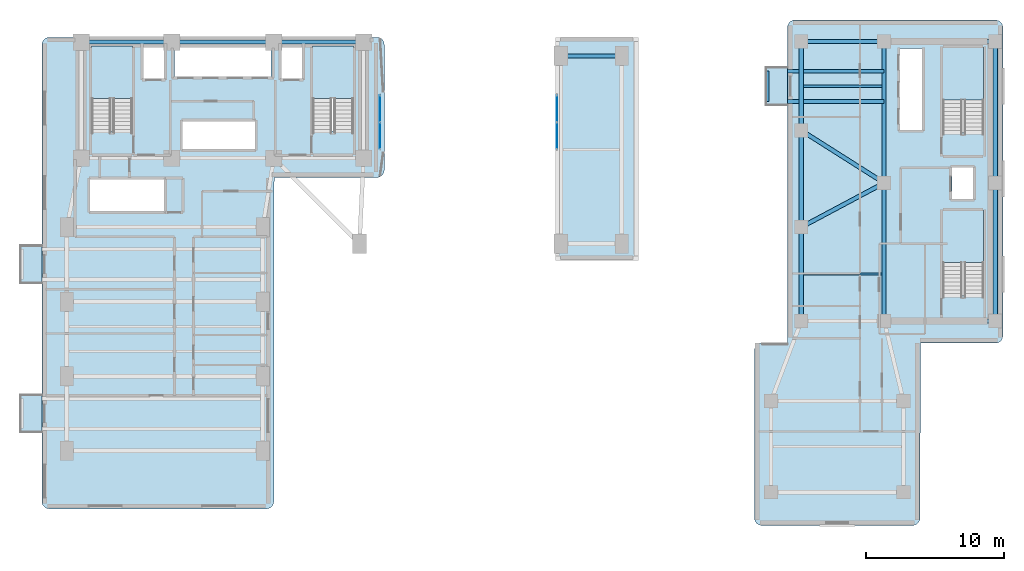
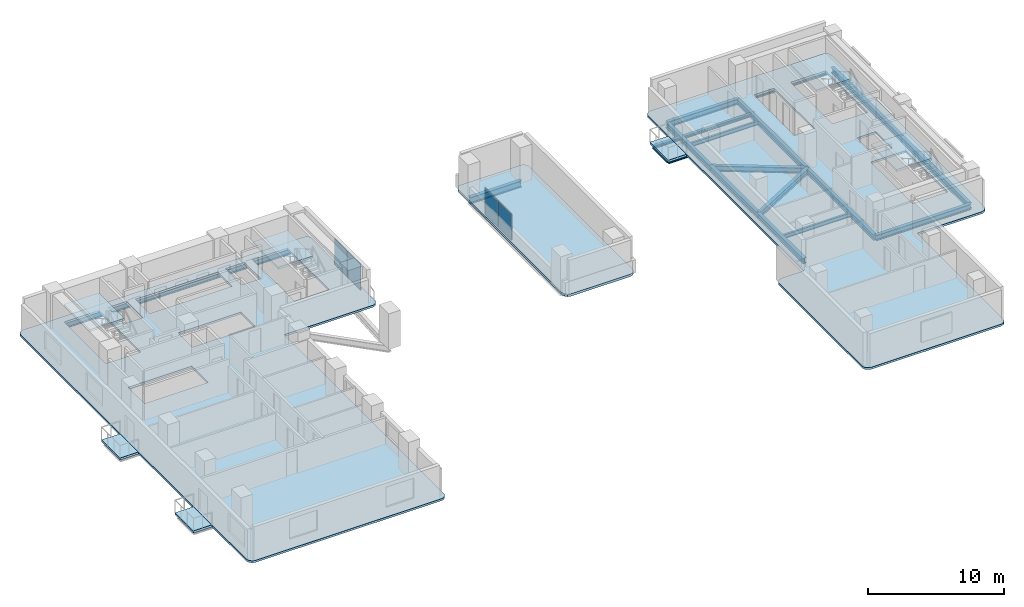
# One storey, part 5 of 12: 21 beams, 10 slabs, 4 plates, 6 elements without a shape of their own.
"""IFC4 building model written with IfcOpenShell, lengths in metres."""

from ifc_helpers import new_model, si_unit, direction, frame, origin, origin_2d, place, context, subcontext, project, spatial, polyline, rectangle, i_section, outline, extrude, material, layer, layer_set, material_profile, profile_set, type_object, element, aggregate, save


model = new_model("IFC4")

# Units and contexts
model_context = context("Model", 3, precision=1e-05, world=origin(), true_north=direction((0.0, 1.0)))
body_context = subcontext(model_context, "Body", "Model", "MODEL_VIEW")
ifc_project = project(units=[si_unit("LENGTHUNIT", "METRE"), si_unit("AREAUNIT", "SQUARE_METRE"), si_unit("VOLUMEUNIT", "CUBIC_METRE"), si_unit("PLANEANGLEUNIT", "RADIAN"), si_unit("MASSUNIT", "GRAM", prefix="KILO")], contexts=[model_context])

# Site, building, storey
site_placement = place(None, origin())
site = spatial("IfcSite", under=ifc_project, at=site_placement, CompositionType="ELEMENT")
building_placement = place(site_placement, origin())
building = spatial("IfcBuilding", under=site, at=building_placement, Name="Kuzgunbayir Cultural Tower", CompositionType="ELEMENT")
storey_placement = place(building_placement, frame((0.0, 0.0, 30.199951171875)))
storey = spatial("IfcBuildingStorey", under=building, at=storey_placement, Name="L07", CompositionType="ELEMENT", Elevation=30.199951171875)

# Beams
ifc_material_1 = material(Name="Steel S355J2", Category="steel")
ifc_material_profile_1 = material_profile(ifc_material_1, i_section(OverallWidth=0.260009765625, OverallDepth=0.260009765625, WebThickness=0.010009765625, FlangeThickness=0.017578125, FilletRadius=0.02392578125, at=origin_2d()), Name="HEB 260")
ifc_profile_set_1 = profile_set([ifc_material_profile_1], Name="Steel S355J2")
beam_type_1 = type_object("IfcBeamType", Name="BM-BAL-HEB260", PredefinedType="BEAM", material=ifc_profile_set_1)
for number, where, z_axis, x_axis, name in (
    (1, (56.159912109375, 37.89990234375, -0.329833984375), (1.0, 0.0, 0.0), (0.0, 1.0, 0.0), "L07 Companion Balcony Outrigger BAL-L07-T2W3.1"),
    (2, (56.159912109375, 40.10009765625, -0.329833984375), (1.0, 0.0, 0.0), (0.0, 1.0, 0.0), "L07 Companion Balcony Outrigger BAL-L07-T2W3.2"),
):
    element("IfcBeam", number, at=place(storey_placement, frame(where, z_axis=z_axis, x_axis=x_axis)), inside=storey, type_object=beam_type_1, Name=name, PredefinedType="BEAM", context=body_context, shape_type="SweptSolid", body=[
        extrude(i_section(OverallWidth=0.260009765625, OverallDepth=0.260009765625, WebThickness=0.010009765625, FlangeThickness=0.017578125, FilletRadius=0.02392578125, at=origin_2d()), origin(), (0.0, 0.0, 1.0), 8.440185546875),
    ])
ifc_material_profile_2 = material_profile(ifc_material_1, i_section(OverallWidth=0.199951171875, OverallDepth=0.199951171875, WebThickness=0.009033203125, FlangeThickness=0.014892578125, FilletRadius=0.01806640625, at=origin_2d()), Name="HEB 200")
ifc_profile_set_2 = profile_set([ifc_material_profile_2], Name="Steel S355J2")
beam_type_2 = type_object("IfcBeamType", Name="BM-CAN-HEB200", PredefinedType="BEAM", material=ifc_profile_set_2)
beam_1_placement = place(storey_placement, frame((56.159912109375, 37.89990234375, -0.300048828125), z_axis=(0.0, 1.0, 0.0), x_axis=(-1.0, 0.0, 0.0)))
element("IfcBeam", 3, at=beam_1_placement, inside=storey, type_object=beam_type_2, Name="L07 Companion Balcony Header BAL-L07-T2W3", PredefinedType="BEAM", context=body_context, shape_type="SweptSolid", body=[
    extrude(i_section(OverallWidth=0.199951171875, OverallDepth=0.199951171875, WebThickness=0.009033203125, FlangeThickness=0.014892578125, FilletRadius=0.01806640625, at=origin_2d()), origin(), (0.0, 0.0, 1.0), 2.2001953125),
])
ifc_material_profile_3 = material_profile(ifc_material_1, i_section(OverallWidth=0.300048828125, OverallDepth=0.5, WebThickness=0.014404296875, FlangeThickness=0.028076171875, FilletRadius=0.027099609375, at=origin_2d()), Name="HEB 500")
ifc_profile_set_3 = profile_set([ifc_material_profile_3], Name="Steel S355J2")
beam_type_3 = type_object("IfcBeamType", Name="BM-EXT-HEB500", PredefinedType="BEAM", material=ifc_profile_set_3)
beam_2_placement = place(storey_placement, frame((58.60009765625, 22.0, -0.429931640625), z_axis=(0.0, 1.0, 0.0), x_axis=(-1.0, 0.0, 0.0)))
element("IfcBeam", 4, at=beam_2_placement, inside=storey, type_object=beam_type_3, Name="L07 Companion West Girder", PredefinedType="BEAM", context=body_context, shape_type="SweptSolid", body=[
    extrude(i_section(OverallWidth=0.300048828125, OverallDepth=0.5, WebThickness=0.014404296875, FlangeThickness=0.028076171875, FilletRadius=0.027099609375, at=origin_2d()), origin(), (0.0, 0.0, 1.0), 6.800048828125),
])
beam_3_placement = place(storey_placement, frame((58.60009765625, 28.800048828125, -0.429931640625), z_axis=(0.0, 1.0, 0.0), x_axis=(-1.0, 0.0, 0.0)))
element("IfcBeam", 5, at=beam_3_placement, inside=storey, type_object=beam_type_3, Name="L07 Companion West Girder", PredefinedType="BEAM", context=body_context, shape_type="SweptSolid", body=[
    extrude(i_section(OverallWidth=0.300048828125, OverallDepth=0.5, WebThickness=0.014404296875, FlangeThickness=0.028076171875, FilletRadius=0.027099609375, at=origin_2d()), origin(), (0.0, 0.0, 1.0), 7.0),
])
beam_4_placement = place(storey_placement, frame((58.60009765625, 35.800048828125, -0.429931640625), z_axis=(0.0, 1.0, 0.0), x_axis=(-1.0, 0.0, 0.0)))
element("IfcBeam", 6, at=beam_4_placement, inside=storey, type_object=beam_type_3, Name="L07 Companion West Girder", PredefinedType="BEAM", context=body_context, shape_type="SweptSolid", body=[
    extrude(i_section(OverallWidth=0.300048828125, OverallDepth=0.5, WebThickness=0.014404296875, FlangeThickness=0.028076171875, FilletRadius=0.027099609375, at=origin_2d()), origin(), (0.0, 0.0, 1.0), 6.449951171875),
])
ifc_material_profile_4 = material_profile(ifc_material_1, i_section(OverallWidth=0.300048828125, OverallDepth=0.60009765625, WebThickness=0.015380859375, FlangeThickness=0.030029296875, FilletRadius=0.027099609375, at=origin_2d()), Name="HEB 600")
ifc_profile_set_4 = profile_set([ifc_material_profile_4], Name="Steel S355J2")
beam_type_4 = type_object("IfcBeamType", Name="BM-EXT-HEB600", PredefinedType="BEAM", material=ifc_profile_set_4)
beam_5_placement = place(storey_placement, frame((41.199951171875, 41.199951171875, -0.530029296875), z_axis=(1.0, 0.0, 0.0), x_axis=(0.0, 1.0, 0.0)))
element("IfcBeam", 7, at=beam_5_placement, inside=storey, type_object=beam_type_4, Name="L07 Portal Pier North Girder", PredefinedType="BEAM", context=body_context, shape_type="SweptSolid", body=[
    extrude(i_section(OverallWidth=0.300048828125, OverallDepth=0.60009765625, WebThickness=0.015380859375, FlangeThickness=0.030029296875, FilletRadius=0.027099609375, at=origin_2d()), origin(), (0.0, 0.0, 1.0), 4.400146484375),
])
ifc_material_profile_5 = material_profile(ifc_material_1, i_section(OverallWidth=0.300048828125, OverallDepth=0.5, WebThickness=0.014404296875, FlangeThickness=0.028076171875, FilletRadius=0.027099609375, at=origin_2d()), Name="HEB 500")
ifc_profile_set_5 = profile_set([ifc_material_profile_5], Name="Steel S355J2")
beam_type_5 = type_object("IfcBeamType", Name="BM-GIR-HEB500", PredefinedType="BEAM", material=ifc_profile_set_5)
beam_6_placement = place(storey_placement, frame((58.60009765625, 28.800048828125, -0.429931640625), z_axis=(0.882355922736, 0.470582644828, 0.0), x_axis=(-0.470582644828, 0.882355922736, 0.0)))
element("IfcBeam", 8, at=beam_6_placement, inside=storey, type_object=beam_type_5, Name="L07 Companion Transverse Girder 2", PredefinedType="BEAM", context=body_context, shape_type="SweptSolid", body=[
    extrude(i_section(OverallWidth=0.300048828125, OverallDepth=0.5, WebThickness=0.014404296875, FlangeThickness=0.028076171875, FilletRadius=0.027099609375, at=origin_2d()), origin(), (0.0, 0.0, 1.0), 6.800048828125),
])
beam_7_placement = place(storey_placement, frame((58.60009765625, 35.800048828125, -0.429931640625), z_axis=(0.844815967829, -0.535056988088, 0.0), x_axis=(0.535056988088, 0.844815967829, 0.0)))
element("IfcBeam", 9, at=beam_7_placement, inside=storey, type_object=beam_type_5, Name="L07 Companion Transverse Girder 3", PredefinedType="BEAM", context=body_context, shape_type="SweptSolid", body=[
    extrude(i_section(OverallWidth=0.300048828125, OverallDepth=0.5, WebThickness=0.014404296875, FlangeThickness=0.028076171875, FilletRadius=0.027099609375, at=origin_2d()), origin(), (0.0, 0.0, 1.0), 7.10205078125),
])
beam_8_placement = place(storey_placement, frame((58.60009765625, 42.25, -0.429931640625), z_axis=(1.0, 0.0, 0.0), x_axis=(0.0, 1.0, 0.0)))
element("IfcBeam", 10, at=beam_8_placement, inside=storey, type_object=beam_type_5, Name="L07 Companion Transverse Girder 4", PredefinedType="BEAM", context=body_context, shape_type="SweptSolid", body=[
    extrude(i_section(OverallWidth=0.300048828125, OverallDepth=0.5, WebThickness=0.014404296875, FlangeThickness=0.028076171875, FilletRadius=0.027099609375, at=origin_2d()), origin(), (0.0, 0.0, 1.0), 6.0),
])
beam_9_placement = place(storey_placement, frame((64.60009765625, 22.0, -0.429931640625), z_axis=(0.0, 1.0, 0.0), x_axis=(-1.0, 0.0, 0.0)))
element("IfcBeam", 11, at=beam_9_placement, inside=storey, type_object=beam_type_5, Name="L07 Companion Core West Girder 1", PredefinedType="BEAM", context=body_context, shape_type="SweptSolid", body=[
    extrude(i_section(OverallWidth=0.300048828125, OverallDepth=0.5, WebThickness=0.014404296875, FlangeThickness=0.028076171875, FilletRadius=0.027099609375, at=origin_2d()), origin(), (0.0, 0.0, 1.0), 10.0),
])
beam_10_placement = place(storey_placement, frame((64.60009765625, 32.0, -0.429931640625), z_axis=(0.0, 1.0, 0.0), x_axis=(-1.0, 0.0, 0.0)))
element("IfcBeam", 12, at=beam_10_placement, inside=storey, type_object=beam_type_5, Name="L07 Companion Core West Girder 2", PredefinedType="BEAM", context=body_context, shape_type="SweptSolid", body=[
    extrude(i_section(OverallWidth=0.300048828125, OverallDepth=0.5, WebThickness=0.014404296875, FlangeThickness=0.028076171875, FilletRadius=0.027099609375, at=origin_2d()), origin(), (0.0, 0.0, 1.0), 10.25),
])
beam_11_placement = place(storey_placement, frame((72.64990234375, 22.0, -0.429931640625), z_axis=(0.0, 1.0, 0.0), x_axis=(-1.0, 0.0, 0.0)))
element("IfcBeam", 13, at=beam_11_placement, inside=storey, type_object=beam_type_5, Name="L07 Companion Core East Girder 1", PredefinedType="BEAM", context=body_context, shape_type="SweptSolid", body=[
    extrude(i_section(OverallWidth=0.300048828125, OverallDepth=0.5, WebThickness=0.014404296875, FlangeThickness=0.028076171875, FilletRadius=0.027099609375, at=origin_2d()), origin(), (0.0, 0.0, 1.0), 10.0),
])
beam_12_placement = place(storey_placement, frame((72.64990234375, 32.0, -0.429931640625), z_axis=(0.0, 1.0, 0.0), x_axis=(-1.0, 0.0, 0.0)))
element("IfcBeam", 14, at=beam_12_placement, inside=storey, type_object=beam_type_5, Name="L07 Companion Core East Girder 2", PredefinedType="BEAM", context=body_context, shape_type="SweptSolid", body=[
    extrude(i_section(OverallWidth=0.300048828125, OverallDepth=0.5, WebThickness=0.014404296875, FlangeThickness=0.028076171875, FilletRadius=0.027099609375, at=origin_2d()), origin(), (0.0, 0.0, 1.0), 10.25),
])
for number, where, z_axis, x_axis, name in (
    (15, (64.60009765625, 22.0, -0.429931640625), (1.0, 0.0, 0.0), (0.0, 1.0, 0.0), "L07 Companion Core South Girder"),
    (16, (64.60009765625, 42.25, -0.429931640625), (1.0, 0.0, 0.0), (0.0, 1.0, 0.0), "L07 Companion Core North Girder"),
):
    element("IfcBeam", number, at=place(storey_placement, frame(where, z_axis=z_axis, x_axis=x_axis)), inside=storey, type_object=beam_type_5, Name=name, PredefinedType="BEAM", context=body_context, shape_type="SweptSolid", body=[
        extrude(i_section(OverallWidth=0.300048828125, OverallDepth=0.5, WebThickness=0.014404296875, FlangeThickness=0.028076171875, FilletRadius=0.027099609375, at=origin_2d()), origin(), (0.0, 0.0, 1.0), 8.0498046875),
    ])
ifc_material_profile_6 = material_profile(ifc_material_1, i_section(OverallWidth=0.300048828125, OverallDepth=0.60009765625, WebThickness=0.015380859375, FlangeThickness=0.030029296875, FilletRadius=0.027099609375, at=origin_2d()), Name="HEB 600")
ifc_profile_set_6 = profile_set([ifc_material_profile_6], Name="Steel S355J2")
beam_type_6 = type_object("IfcBeamType", Name="BM-GIR-HEB600", PredefinedType="BEAM", material=ifc_profile_set_6)
beam_13_placement = place(storey_placement, frame((6.449951171875, 42.199951171875, -0.47998046875), z_axis=(1.0, 0.0, 0.0), x_axis=(0.0, 1.0, 0.0)))
element("IfcBeam", 17, at=beam_13_placement, inside=storey, type_object=beam_type_6, Name="L07 Core North Girder 1", PredefinedType="BEAM", context=body_context, shape_type="SweptSolid", body=[
    extrude(i_section(OverallWidth=0.300048828125, OverallDepth=0.60009765625, WebThickness=0.015380859375, FlangeThickness=0.030029296875, FilletRadius=0.027099609375, at=origin_2d()), origin(), (0.0, 0.0, 1.0), 6.550048828125),
])
beam_14_placement = place(storey_placement, frame((13.0, 42.199951171875, -0.47998046875), z_axis=(1.0, 0.0, 0.0), x_axis=(0.0, 1.0, 0.0)))
element("IfcBeam", 18, at=beam_14_placement, inside=storey, type_object=beam_type_6, Name="L07 Core North Girder 2", PredefinedType="BEAM", context=body_context, shape_type="SweptSolid", body=[
    extrude(i_section(OverallWidth=0.300048828125, OverallDepth=0.60009765625, WebThickness=0.015380859375, FlangeThickness=0.030029296875, FilletRadius=0.027099609375, at=origin_2d()), origin(), (0.0, 0.0, 1.0), 7.39990234375),
])
beam_15_placement = place(storey_placement, frame((20.39990234375, 42.199951171875, -0.47998046875), z_axis=(1.0, 0.0, 0.0), x_axis=(0.0, 1.0, 0.0)))
element("IfcBeam", 19, at=beam_15_placement, inside=storey, type_object=beam_type_6, Name="L07 Core North Girder 3", PredefinedType="BEAM", context=body_context, shape_type="SweptSolid", body=[
    extrude(i_section(OverallWidth=0.300048828125, OverallDepth=0.60009765625, WebThickness=0.015380859375, FlangeThickness=0.030029296875, FilletRadius=0.027099609375, at=origin_2d()), origin(), (0.0, 0.0, 1.0), 6.5),
])
ifc_material_profile_7 = material_profile(ifc_material_1, i_section(OverallWidth=0.169921875, OverallDepth=0.360107421875, WebThickness=0.008056640625, FlangeThickness=0.0126953125, FilletRadius=0.01806640625, at=origin_2d()), Name="IPE 360")
ifc_profile_set_7 = profile_set([ifc_material_profile_7], Name="Steel S355J2")
beam_type_7 = type_object("IfcBeamType", Name="BM-JST-IPE360", PredefinedType="JOIST", material=ifc_profile_set_7)
for number, where, z_axis, x_axis, name in (
    (20, (58.75, 25.39990234375, -0.35986328125), (1.0, 0.0, 0.0), (0.0, 1.0, 0.0), "L07 Companion Joist"),
    (21, (58.75, 39.0, -0.35986328125), (1.0, 0.0, 0.0), (0.0, 1.0, 0.0), "L07 Companion Joist"),
):
    element("IfcBeam", number, at=place(storey_placement, frame(where, z_axis=z_axis, x_axis=x_axis)), inside=storey, type_object=beam_type_7, Name=name, PredefinedType="JOIST", context=body_context, shape_type="SweptSolid", body=[
        extrude(i_section(OverallWidth=0.169921875, OverallDepth=0.360107421875, WebThickness=0.008056640625, FlangeThickness=0.0126953125, FilletRadius=0.01806640625, at=origin_2d()), origin(), (0.0, 0.0, 1.0), 5.699951171875),
    ])

# Curtain wall, plates
ifc_material_2 = material(Name="Anodised Aluminium Framing", Category="aluminium")
curtain_wall_type = type_object("IfcCurtainWallType", Name="CW02-PORTAL-SOFFIT", PredefinedType="NOTDEFINED", material=ifc_material_2)
curtain_wall_1_placement = place(storey_placement, origin())
curtain_wall_1 = element("IfcCurtainWall", 22, at=curtain_wall_1_placement, inside=storey, type_object=curtain_wall_type, Name="L07 Void-Portal West Jamb Curtain Wall", PredefinedType="NOTDEFINED")
ifc_material_3 = material(Name="Solar-Control Triple Glazing", Category="glass")
ifc_layer_1 = layer(ifc_material_3, 0.035888671875)
ifc_layer_set_1 = layer_set([ifc_layer_1], Name="Solar-Control Triple Glazing")
plate_type = type_object("IfcPlateType", Name="PLT-CW-GLASS-36", PredefinedType="CURTAIN_PANEL", material=ifc_layer_set_1)
plate_1_placement = place(storey_placement, frame((28.10009765625, 35.4150390625, 0.06005859375), z_axis=(0.0, 0.0, 1.0), x_axis=(0.0, 1.0, 0.0)))
plate_1 = element("IfcPlate", 23, at=plate_1_placement, type_object=plate_type, Name="CW02 panel 1.1", PredefinedType="CURTAIN_PANEL", context=body_context, shape_type="SweptSolid", body=[
    extrude(rectangle(XDim=1.909912109375, YDim=0.035888671875, at=origin_2d()), origin(), (0.0, 0.0, 1.0), 2.35009765625),
])
plate_2_placement = place(storey_placement, frame((28.10009765625, 37.385009765625, 0.06005859375), z_axis=(0.0, 0.0, 1.0), x_axis=(0.0, 1.0, 0.0)))
plate_2 = element("IfcPlate", 24, at=plate_2_placement, type_object=plate_type, Name="CW02 panel 2.1", PredefinedType="CURTAIN_PANEL", context=body_context, shape_type="SweptSolid", body=[
    extrude(rectangle(XDim=1.909912109375, YDim=0.035888671875, at=origin_2d()), origin(), (0.0, 0.0, 1.0), 2.35009765625),
])
aggregate(curtain_wall_1, [plate_1, plate_2])

curtain_wall_2_placement = place(storey_placement, origin())
curtain_wall_2 = element("IfcCurtainWall", 25, at=curtain_wall_2_placement, inside=storey, type_object=curtain_wall_type, Name="L07 Void-Portal East Jamb Curtain Wall", PredefinedType="NOTDEFINED")
plate_3_placement = place(storey_placement, frame((40.89990234375, 35.4150390625, 0.06005859375), z_axis=(0.0, 0.0, 1.0), x_axis=(0.0, 1.0, 0.0)))
plate_3 = element("IfcPlate", 26, at=plate_3_placement, type_object=plate_type, Name="CW02 panel 1.1", PredefinedType="CURTAIN_PANEL", context=body_context, shape_type="SweptSolid", body=[
    extrude(rectangle(XDim=1.909912109375, YDim=0.035888671875, at=origin_2d()), origin(), (0.0, 0.0, 1.0), 2.35009765625),
])
plate_4_placement = place(storey_placement, frame((40.89990234375, 37.385009765625, 0.06005859375), z_axis=(0.0, 0.0, 1.0), x_axis=(0.0, 1.0, 0.0)))
plate_4 = element("IfcPlate", 27, at=plate_4_placement, type_object=plate_type, Name="CW02 panel 2.1", PredefinedType="CURTAIN_PANEL", context=body_context, shape_type="SweptSolid", body=[
    extrude(rectangle(XDim=1.909912109375, YDim=0.035888671875, at=origin_2d()), origin(), (0.0, 0.0, 1.0), 2.35009765625),
])
aggregate(curtain_wall_2, [plate_3, plate_4])

# Slabs
ifc_material_4 = material(Name="Concrete C40/50", Category="concrete")
ifc_layer_2 = layer(ifc_material_4, 0.199951171875)
ifc_layer_set_2 = layer_set([ifc_layer_2], Name="Concrete C40/50")
slab_type_1 = type_object("IfcSlabType", Name="SLB-BAL-STONE", PredefinedType="FLOOR", material=ifc_layer_set_2)
slab_1_placement = place(storey_placement, frame((0.0, 0.0, -0.199951171875)))
element("IfcSlab", 28, at=slab_1_placement, inside=storey, type_object=slab_type_1, Name="L07 Projecting Limestone Balcony BAL-L07-WA1", PredefinedType="FLOOR", context=body_context, shape_type="SweptSolid", body=[
    extrude(outline(polyline([(2.0400390625, 13.949951171875), (3.60009765625, 13.949951171875), (3.60009765625, 16.64990234375), (2.0400390625, 16.64990234375), (2.0400390625, 13.949951171875)])), origin(), (0.0, 0.0, 1.0), 0.199951171875),
])
slab_2_placement = place(storey_placement, frame((0.0, 0.0, -0.199951171875)))
element("IfcSlab", 29, at=slab_2_placement, inside=storey, type_object=slab_type_1, Name="L07 Projecting Limestone Balcony BAL-L07-WA3", PredefinedType="FLOOR", context=body_context, shape_type="SweptSolid", body=[
    extrude(outline(polyline([(2.0400390625, 24.75), (3.60009765625, 24.75), (3.60009765625, 27.449951171875), (2.0400390625, 27.449951171875), (2.0400390625, 24.75)])), origin(), (0.0, 0.0, 1.0), 0.199951171875),
])
slab_3_placement = place(storey_placement, frame((0.0, 0.0, -0.199951171875)))
element("IfcSlab", 30, at=slab_3_placement, inside=storey, type_object=slab_type_1, Name="L07 Projecting Limestone Balcony BAL-L07-T2W3", PredefinedType="FLOOR", context=body_context, shape_type="SweptSolid", body=[
    extrude(outline(polyline([(56.0400390625, 37.64990234375), (57.60009765625, 37.64990234375), (57.60009765625, 40.35009765625), (56.0400390625, 40.35009765625), (56.0400390625, 37.64990234375)])), origin(), (0.0, 0.0, 1.0), 0.199951171875),
])

# Stair, slab
stair_type = type_object("IfcStairType", Name="STR-EXIT-CORE", PredefinedType="HALF_TURN_STAIR", material=ifc_material_4)
stair_1_placement = place(storey_placement, origin())
stair_1 = element("IfcStair", 31, at=stair_1_placement, inside=storey, type_object=stair_type, Name="L07 ST-1", PredefinedType="HALF_TURN_STAIR")
ifc_layer_3 = layer(ifc_material_4, 0.179931640625)
ifc_layer_set_3 = layer_set([ifc_layer_3], Name="Concrete C40/50")
slab_type_2 = type_object("IfcSlabType", Name="SLB-LANDING-180", PredefinedType="LANDING", material=ifc_layer_set_3)
slab_4_placement = place(storey_placement, frame((0.0, 0.0, 1.400146484375)))
slab_4 = element("IfcSlab", 32, at=slab_4_placement, type_object=slab_type_2, Name="ST-1 landing 1", PredefinedType="LANDING", context=body_context, shape_type="SweptSolid", body=[
    extrude(outline(polyline([(10.159912109375, 38.1201171875), (10.159912109375, 41.89990234375), (7.199951171875, 41.89990234375), (7.199951171875, 38.1201171875), (10.159912109375, 38.1201171875)])), origin(), (0.0, 0.0, 1.0), 0.199951171875),
])
aggregate(stair_1, [slab_4])

stair_2_placement = place(storey_placement, origin())
stair_2 = element("IfcStair", 33, at=stair_2_placement, inside=storey, type_object=stair_type, Name="L07 ST-2", PredefinedType="HALF_TURN_STAIR")
slab_5_placement = place(storey_placement, frame((0.0, 0.0, 1.400146484375)))
slab_5 = element("IfcSlab", 34, at=slab_5_placement, type_object=slab_type_2, Name="ST-2 landing 1", PredefinedType="LANDING", context=body_context, shape_type="SweptSolid", body=[
    extrude(outline(polyline([(26.159912109375, 38.1201171875), (26.159912109375, 41.89990234375), (23.199951171875, 41.89990234375), (23.199951171875, 38.1201171875), (26.159912109375, 38.1201171875)])), origin(), (0.0, 0.0, 1.0), 0.199951171875),
])
aggregate(stair_2, [slab_5])

stair_3_placement = place(storey_placement, origin())
stair_3 = element("IfcStair", 35, at=stair_3_placement, inside=storey, type_object=stair_type, Name="L07 ST-3", PredefinedType="HALF_TURN_STAIR")
slab_6_placement = place(storey_placement, frame((0.0, 0.0, 1.400146484375)))
slab_6 = element("IfcSlab", 36, at=slab_6_placement, type_object=slab_type_2, Name="ST-3 landing 1", PredefinedType="LANDING", context=body_context, shape_type="SweptSolid", body=[
    extrude(outline(polyline([(71.800048828125, 26.219970703125), (71.800048828125, 30.0), (68.840087890625, 30.0), (68.840087890625, 26.219970703125), (71.800048828125, 26.219970703125)])), origin(), (0.0, 0.0, 1.0), 0.199951171875),
])
aggregate(stair_3, [slab_6])

stair_4_placement = place(storey_placement, origin())
stair_4 = element("IfcStair", 37, at=stair_4_placement, inside=storey, type_object=stair_type, Name="L07 ST-4", PredefinedType="HALF_TURN_STAIR")
slab_7_placement = place(storey_placement, frame((0.0, 0.0, 1.400146484375)))
slab_7 = element("IfcSlab", 38, at=slab_7_placement, type_object=slab_type_2, Name="ST-4 landing 1", PredefinedType="LANDING", context=body_context, shape_type="SweptSolid", body=[
    extrude(outline(polyline([(71.800048828125, 38.02001953125), (71.800048828125, 41.800048828125), (68.840087890625, 41.800048828125), (68.840087890625, 38.02001953125), (71.800048828125, 38.02001953125)])), origin(), (0.0, 0.0, 1.0), 0.199951171875),
])
aggregate(stair_4, [slab_7])

# Slabs
ifc_layer_4 = layer(ifc_material_4, 0.219970703125)
ifc_layer_set_4 = layer_set([ifc_layer_4], Name="Concrete C40/50")
slab_type_3 = type_object("IfcSlabType", Name="SLB-ROOF-COMP-220", PredefinedType="ROOF", material=ifc_layer_set_4)
slab_8_placement = place(storey_placement, frame((0.0, 0.0, -0.219970703125)))
element("IfcSlab", 39, at=slab_8_placement, inside=storey, type_object=slab_type_3, Name="L07 Tower 1 Portal Structural Cap T1-PIER", PredefinedType="ROOF", context=body_context, shape_type="SweptSolid", body=[
    extrude(outline(polyline([(46.300048828125, 26.39990234375), (46.39990234375, 26.409912109375), (46.489990234375, 26.43994140625), (46.580078125, 26.47998046875), (46.64990234375, 26.550048828125), (46.719970703125, 26.6201171875), (46.760009765625, 26.7099609375), (46.7900390625, 26.800048828125), (46.800048828125, 26.89990234375), (46.800048828125, 42.050048828125), (46.7900390625, 42.14990234375), (46.760009765625, 42.239990234375), (46.719970703125, 42.330078125), (46.64990234375, 42.39990234375), (46.580078125, 42.469970703125), (46.489990234375, 42.510009765625), (46.39990234375, 42.5400390625), (46.300048828125, 42.550048828125), (41.300048828125, 42.550048828125), (41.199951171875, 42.5400390625), (41.110107421875, 42.510009765625), (41.02001953125, 42.469970703125), (40.949951171875, 42.39990234375), (40.8798828125, 42.330078125), (40.840087890625, 42.239990234375), (40.81005859375, 42.14990234375), (40.800048828125, 42.050048828125), (40.800048828125, 26.89990234375), (40.81005859375, 26.800048828125), (40.840087890625, 26.7099609375), (40.8798828125, 26.6201171875), (40.949951171875, 26.550048828125), (41.02001953125, 26.47998046875), (41.110107421875, 26.43994140625), (41.199951171875, 26.409912109375), (41.300048828125, 26.39990234375), (46.300048828125, 26.39990234375)])), origin(), (0.0, 0.0, 1.0), 0.219970703125),
])
ifc_layer_5 = layer(ifc_material_4, 0.179931640625)
ifc_layer_set_5 = layer_set([ifc_layer_5], Name="Concrete C40/50")
slab_type_4 = type_object("IfcSlabType", Name="SLB-TYP-180", PredefinedType="FLOOR", material=ifc_layer_set_5)
slab_9_placement = place(storey_placement, frame((0.0, 0.0, -0.179931640625)))
element("IfcSlab", 40, at=slab_9_placement, inside=storey, type_object=slab_type_4, Name="L07 Tower 1 Floor Slab T1-WEST", PredefinedType="FLOOR", context=body_context, shape_type="SweptSolid", body=[
    extrude(outline(polyline([(20.39990234375, 8.949951171875), (20.389892578125, 8.840087890625), (20.360107421875, 8.739990234375), (20.31005859375, 8.639892578125), (20.239990234375, 8.56005859375), (20.159912109375, 8.489990234375), (20.06005859375, 8.43994140625), (19.9599609375, 8.409912109375), (19.85009765625, 8.39990234375), (4.14990234375, 8.39990234375), (4.0400390625, 8.409912109375), (3.93994140625, 8.43994140625), (3.840087890625, 8.489990234375), (3.760009765625, 8.56005859375), (3.68994140625, 8.639892578125), (3.639892578125, 8.739990234375), (3.610107421875, 8.840087890625), (3.60009765625, 8.949951171875), (3.60009765625, 42.0), (3.610107421875, 42.110107421875), (3.639892578125, 42.2099609375), (3.68994140625, 42.31005859375), (3.760009765625, 42.389892578125), (3.840087890625, 42.4599609375), (3.93994140625, 42.510009765625), (4.0400390625, 42.5400390625), (4.14990234375, 42.550048828125), (27.85009765625, 42.550048828125), (27.9599609375, 42.5400390625), (28.06005859375, 42.510009765625), (28.159912109375, 42.4599609375), (28.239990234375, 42.389892578125), (28.31005859375, 42.31005859375), (28.360107421875, 42.2099609375), (28.389892578125, 42.110107421875), (28.39990234375, 42.0), (28.39990234375, 32.949951171875), (28.389892578125, 32.840087890625), (28.360107421875, 32.739990234375), (28.31005859375, 32.639892578125), (28.239990234375, 32.56005859375), (28.159912109375, 32.489990234375), (28.06005859375, 32.43994140625), (27.9599609375, 32.409912109375), (27.85009765625, 32.39990234375), (20.429931640625, 32.39990234375), (20.39990234375, 8.949951171875)]), holes=[polyline([(7.199951171875, 35.760009765625), (7.199951171875, 41.89990234375), (10.159912109375, 41.89990234375), (10.159912109375, 35.760009765625), (7.199951171875, 35.760009765625)]), polyline([(23.199951171875, 35.760009765625), (23.199951171875, 41.89990234375), (26.159912109375, 41.89990234375), (26.159912109375, 35.760009765625), (23.199951171875, 35.760009765625)]), polyline([(13.199951171875, 39.699951171875), (13.199951171875, 41.800048828125), (20.199951171875, 41.800048828125), (20.199951171875, 39.699951171875), (13.199951171875, 39.699951171875)]), polyline([(13.75, 34.39990234375), (13.75, 36.5), (19.080078125, 36.5), (19.080078125, 34.39990234375), (13.75, 34.39990234375)]), polyline([(7.10009765625, 29.89990234375), (7.10009765625, 32.300048828125), (12.5, 32.300048828125), (12.5, 29.89990234375), (7.10009765625, 29.89990234375)]), polyline([(10.89990234375, 39.5), (10.89990234375, 41.89990234375), (12.5, 41.89990234375), (12.5, 39.5), (10.89990234375, 39.5)]), polyline([(20.89990234375, 39.5), (20.89990234375, 41.89990234375), (22.5, 41.89990234375), (22.5, 39.5), (20.89990234375, 39.5)])]), origin(), (0.0, 0.0, 1.0), 0.179931640625),
])
slab_10_placement = place(storey_placement, frame((0.0, 0.0, -0.179931640625)))
element("IfcSlab", 41, at=slab_10_placement, inside=storey, type_object=slab_type_4, Name="L07 Companion Tower 2 Floor Slab", PredefinedType="FLOOR", context=body_context, shape_type="SweptSolid", body=[
    extrude(outline(polyline([(57.60009765625, 20.39990234375), (57.60009765625, 43.25), (57.610107421875, 43.360107421875), (57.639892578125, 43.4599609375), (57.68994140625, 43.56005859375), (57.760009765625, 43.639892578125), (57.840087890625, 43.7099609375), (57.93994140625, 43.760009765625), (58.0400390625, 43.7900390625), (58.14990234375, 43.800048828125), (72.64990234375, 43.800048828125), (72.760009765625, 43.7900390625), (72.860107421875, 43.760009765625), (72.9599609375, 43.7099609375), (73.0400390625, 43.639892578125), (73.110107421875, 43.56005859375), (73.159912109375, 43.4599609375), (73.18994140625, 43.360107421875), (73.199951171875, 43.25), (73.199951171875, 20.949951171875), (73.18994140625, 20.840087890625), (73.159912109375, 20.739990234375), (73.110107421875, 20.639892578125), (73.0400390625, 20.56005859375), (72.9599609375, 20.489990234375), (72.860107421875, 20.43994140625), (72.760009765625, 20.409912109375), (72.64990234375, 20.39990234375), (67.22998046875, 20.39990234375), (67.199951171875, 7.75), (67.18994140625, 7.639892578125), (67.159912109375, 7.5400390625), (67.110107421875, 7.43994140625), (67.0400390625, 7.360107421875), (66.9599609375, 7.2900390625), (66.860107421875, 7.239990234375), (66.760009765625, 7.2099609375), (66.64990234375, 7.199951171875), (55.75, 7.199951171875), (55.639892578125, 7.2099609375), (55.5400390625, 7.239990234375), (55.43994140625, 7.2900390625), (55.360107421875, 7.360107421875), (55.2900390625, 7.43994140625), (55.239990234375, 7.5400390625), (55.2099609375, 7.639892578125), (55.199951171875, 7.75), (55.199951171875, 19.85009765625), (55.2099609375, 19.9599609375), (55.239990234375, 20.06005859375), (55.2900390625, 20.159912109375), (55.360107421875, 20.239990234375), (55.43994140625, 20.31005859375), (55.5400390625, 20.360107421875), (55.639892578125, 20.389892578125), (55.75, 20.39990234375), (57.570068359375, 20.39990234375), (57.60009765625, 20.39990234375)]), holes=[polyline([(68.840087890625, 23.860107421875), (68.840087890625, 30.0), (71.800048828125, 30.0), (71.800048828125, 23.860107421875), (68.840087890625, 23.860107421875)]), polyline([(68.840087890625, 35.659912109375), (68.840087890625, 41.800048828125), (71.800048828125, 41.800048828125), (71.800048828125, 35.659912109375), (68.840087890625, 35.659912109375)]), polyline([(65.699951171875, 35.800048828125), (65.699951171875, 41.75), (67.39990234375, 41.75), (67.39990234375, 35.800048828125), (65.699951171875, 35.800048828125)]), polyline([(69.5, 30.800048828125), (69.5, 33.199951171875), (71.10009765625, 33.199951171875), (71.10009765625, 30.800048828125), (69.5, 30.800048828125)])]), origin(), (0.0, 0.0, 1.0), 0.179931640625),
])

save(model, "model.ifc")
